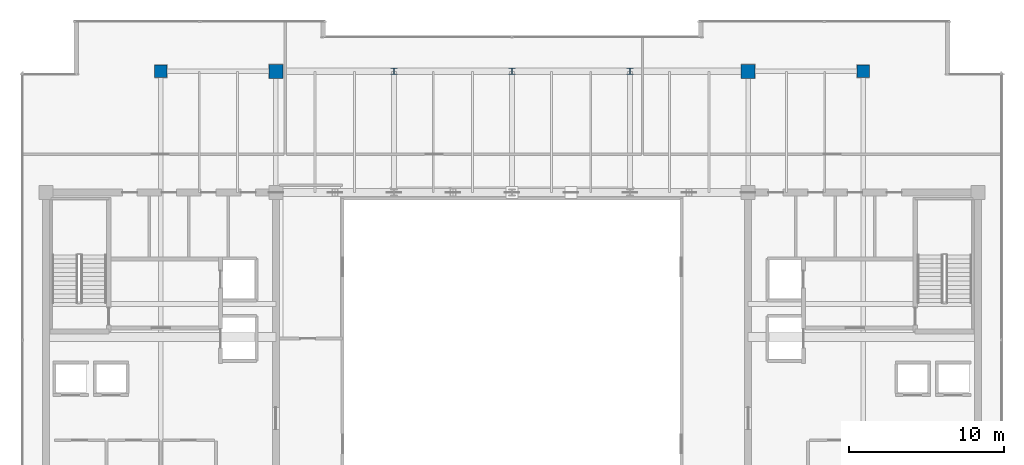
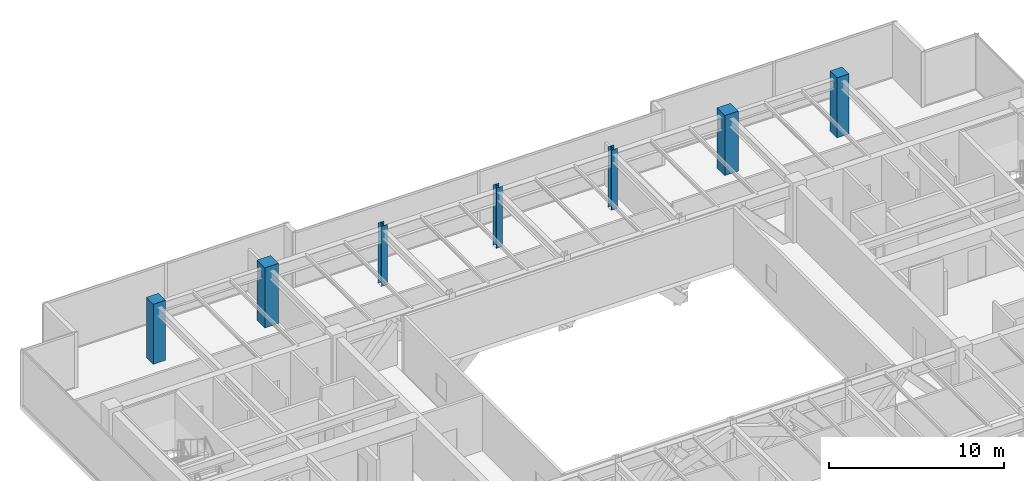
# One storey, part 3 of 32: 7 columns.
"""IFC4 building model written with IfcOpenShell, lengths in metres."""

from ifc_helpers import new_model, si_unit, direction, frame, origin, origin_2d, place, context, subcontext, project, spatial, rectangle, i_section, extrude, source, transform, mapped, material, material_profile, profile_set, type_object, type_shapes, element, save


model = new_model("IFC4")

# Units and contexts
model_context = context("Model", 3, precision=1e-05, world=origin(), true_north=direction((0.0, 1.0)))
body_context = subcontext(model_context, "Body", "Model", "MODEL_VIEW")
ifc_project = project(units=[si_unit("LENGTHUNIT", "METRE"), si_unit("AREAUNIT", "SQUARE_METRE"), si_unit("VOLUMEUNIT", "CUBIC_METRE"), si_unit("PLANEANGLEUNIT", "RADIAN"), si_unit("MASSUNIT", "GRAM", prefix="KILO")], contexts=[model_context])

# Site, building, storey
site_placement = place(None, origin())
site = spatial("IfcSite", under=ifc_project, at=site_placement, CompositionType="ELEMENT")
building_placement = place(site_placement, origin())
building = spatial("IfcBuilding", under=site, at=building_placement, Name="Haelvirn Gate Laboratories", CompositionType="ELEMENT")
storey_placement = place(building_placement, frame((0.0, 0.0, 314.39990234375)))
storey = spatial("IfcBuildingStorey", under=building, at=storey_placement, Name="L75", CompositionType="ELEMENT", Elevation=314.39990234375)

# Columns
ifc_material_1 = material(Name="Concrete C50/60", Category="concrete")
ifc_material_profile_1 = material_profile(ifc_material_1, rectangle(XDim=0.800048828125, YDim=0.800048828125, at=origin_2d()), Name="RC-800x800")
ifc_profile_set_1 = profile_set([ifc_material_profile_1], Name="Concrete C50/60")
column_type_1 = type_object("IfcColumnType", Name="COL-RC-800", PredefinedType="COLUMN", material=ifc_profile_set_1)
shared_shape_1 = source(origin(), body_context, "Body", "SweptSolid", [
    extrude(rectangle(XDim=0.800048828125, YDim=0.800048828125, at=origin_2d()), origin(), (0.0, 0.0, 1.0), 4.2001953125),
])
type_shapes(column_type_1, [shared_shape_1])
for number, where, z_axis, x_axis, name in (
    (1, (14.800048828125, 41.60009765625, 0.0), (0.0, 0.0, 1.0), (1.0, 0.0, 0.0), "L75 Column 3G"),
    (2, (60.0, 41.60009765625, 0.0), (0.0, 0.0, 1.0), (1.0, 0.0, 0.0), "L75 Column 9G"),
):
    element("IfcColumn", number, at=place(storey_placement, frame(where, z_axis=z_axis, x_axis=x_axis)), inside=storey, type_object=column_type_1, Name=name, PredefinedType="COLUMN", context=body_context, shape_type="MappedRepresentation", body=[
        mapped(shared_shape_1, transform((0.0, 0.0, 0.0), scale=1.0)),
    ])
ifc_material_profile_2 = material_profile(ifc_material_1, rectangle(XDim=0.89990234375, YDim=0.89990234375, at=origin_2d()), Name="RC-900x900")
ifc_profile_set_2 = profile_set([ifc_material_profile_2], Name="Concrete C50/60")
column_type_2 = type_object("IfcColumnType", Name="COL-RC-900", PredefinedType="COLUMN", material=ifc_profile_set_2)
shared_shape_2 = source(origin(), body_context, "Body", "SweptSolid", [
    extrude(rectangle(XDim=0.89990234375, YDim=0.89990234375, at=origin_2d()), origin(), (0.0, 0.0, 1.0), 4.2001953125),
])
type_shapes(column_type_2, [shared_shape_2])
for number, where, z_axis, x_axis, name in (
    (3, (22.199951171875, 41.60009765625, 0.0), (0.0, 0.0, 1.0), (1.0, 0.0, 0.0), "L75 Column 4G"),
    (4, (52.60009765625, 41.60009765625, 0.0), (0.0, 0.0, 1.0), (1.0, 0.0, 0.0), "L75 Column 8G"),
):
    element("IfcColumn", number, at=place(storey_placement, frame(where, z_axis=z_axis, x_axis=x_axis)), inside=storey, type_object=column_type_2, Name=name, PredefinedType="COLUMN", context=body_context, shape_type="MappedRepresentation", body=[
        mapped(shared_shape_2, transform((0.0, 0.0, 0.0), scale=1.0)),
    ])
ifc_material_2 = material(Name="Steel SM355", Category="steel")
ifc_material_profile_3 = material_profile(ifc_material_2, i_section(OverallWidth=0.39990234375, OverallDepth=0.39990234375, WebThickness=0.02099609375, FlangeThickness=0.02099609375, at=origin_2d()), Name="H-400x400x21x21")
ifc_profile_set_3 = profile_set([ifc_material_profile_3], Name="Steel SM355")
column_type_3 = type_object("IfcColumnType", Name="COL-H-400", PredefinedType="COLUMN", material=ifc_profile_set_3)
shared_shape_3 = source(origin(), body_context, "Body", "SweptSolid", [
    extrude(i_section(OverallWidth=0.39990234375, OverallDepth=0.39990234375, WebThickness=0.02099609375, FlangeThickness=0.02099609375, at=origin_2d()), origin(), (0.0, 0.0, 1.0), 4.2001953125),
])
type_shapes(column_type_3, [shared_shape_3])
for number, where, z_axis, x_axis, name in (
    (5, (29.800048828125, 41.60009765625, 0.0), (0.0, 0.0, 1.0), (1.0, 0.0, 0.0), "L75 Column 5G"),
    (6, (37.39990234375, 41.60009765625, 0.0), (0.0, 0.0, 1.0), (1.0, 0.0, 0.0), "L75 Column 6G"),
    (7, (45.0, 41.60009765625, 0.0), (0.0, 0.0, 1.0), (1.0, 0.0, 0.0), "L75 Column 7G"),
):
    element("IfcColumn", number, at=place(storey_placement, frame(where, z_axis=z_axis, x_axis=x_axis)), inside=storey, type_object=column_type_3, Name=name, PredefinedType="COLUMN", context=body_context, shape_type="MappedRepresentation", body=[
        mapped(shared_shape_3, transform((0.0, 0.0, 0.0), scale=1.0)),
    ])

save(model, "model.ifc")
